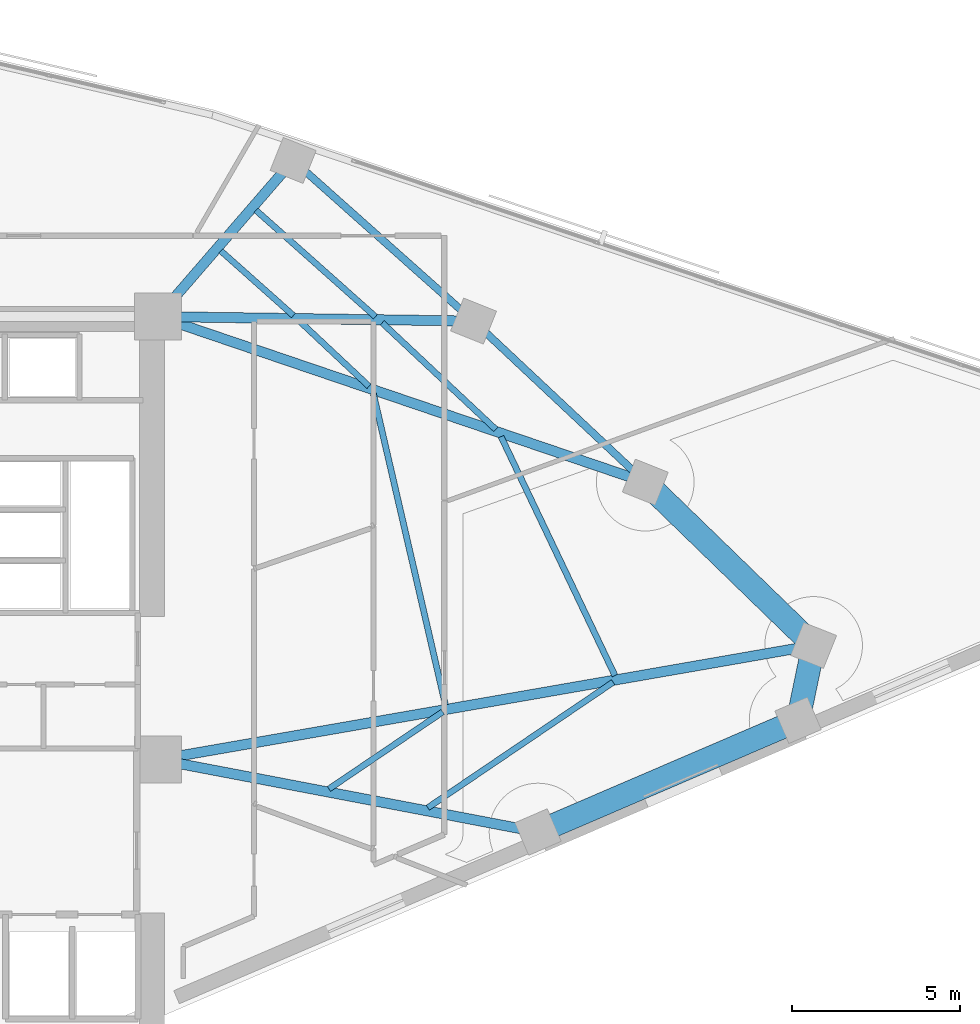
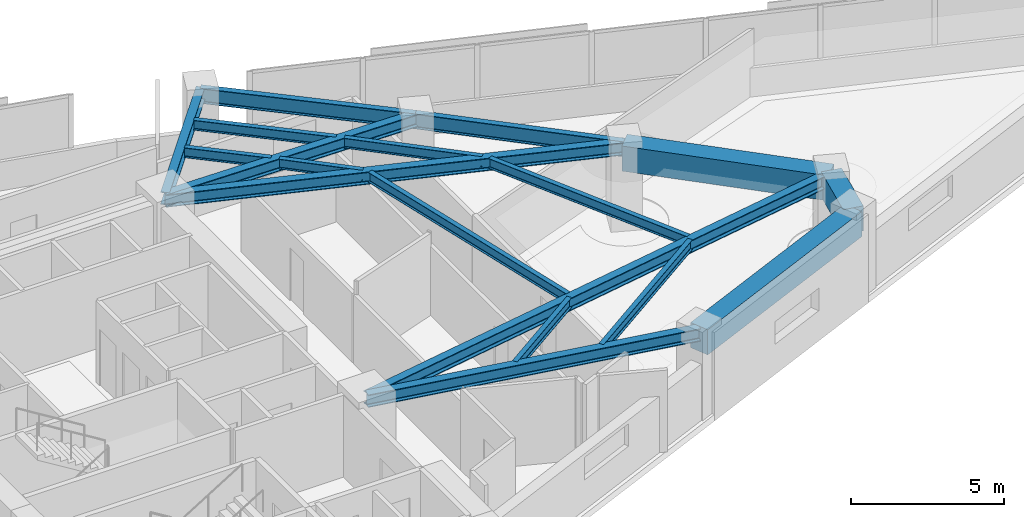
# One storey, part 3 of 14: 18 beams.
"""IFC4 building model written with IfcOpenShell, lengths in metres."""

from ifc_helpers import new_model, si_unit, direction, frame, origin, origin_2d, place, context, subcontext, project, spatial, rectangle, i_section, extrude, material, material_profile, profile_set, type_object, element, save


model = new_model("IFC4")

# Units and contexts
model_context = context("Model", 3, precision=1e-05, world=origin(), true_north=direction((0.0, 1.0)))
body_context = subcontext(model_context, "Body", "Model", "MODEL_VIEW")
ifc_project = project(units=[si_unit("LENGTHUNIT", "METRE"), si_unit("AREAUNIT", "SQUARE_METRE"), si_unit("VOLUMEUNIT", "CUBIC_METRE"), si_unit("PLANEANGLEUNIT", "RADIAN"), si_unit("MASSUNIT", "GRAM", prefix="KILO")], contexts=[model_context])

# Site, building, storey
site_placement = place(None, origin())
site = spatial("IfcSite", under=ifc_project, at=site_placement, CompositionType="ELEMENT")
building_placement = place(site_placement, origin())
building = spatial("IfcBuilding", under=site, at=building_placement, Name="Narakoshi Arena Tower", CompositionType="ELEMENT")
storey_placement = place(building_placement, frame((0.0, 0.0, 182.6201171875)))
storey = spatial("IfcBuildingStorey", under=building, at=storey_placement, Name="L49", CompositionType="ELEMENT", Elevation=182.6201171875)

# Beams
ifc_material_1 = material(Name="Concrete C60/75", Category="concrete")
ifc_material_profile_1 = material_profile(ifc_material_1, rectangle(XDim=0.699951171875, YDim=1.0, at=origin_2d()), Name="RCB700x1000")
ifc_profile_set_1 = profile_set([ifc_material_profile_1], Name="Concrete C60/75")
beam_type_1 = type_object("IfcBeamType", Name="BM-CPL-1000", PredefinedType="BEAM", material=ifc_profile_set_1)
beam_1_placement = place(storey_placement, frame((96.830078125, 41.2001953125, 2.759765625), z_axis=(0.918792947441, 0.394739812703, 0.0), x_axis=(-0.394739812703, 0.918792947441, 0.0)))
element("IfcBeam", 1, at=beam_1_placement, inside=storey, type_object=beam_type_1, Name="L49 Perimeter Edge Girder 01", PredefinedType="BEAM", context=body_context, shape_type="SweptSolid", body=[
    extrude(rectangle(XDim=0.699951171875, YDim=1.0, at=origin_2d()), origin(), (0.0, 0.0, 1.0), 8.401611328125),
])
beam_2_placement = place(storey_placement, frame((104.54931640625, 44.5166015625, 2.759765625), z_axis=(0.203000450605, 0.979178644096, 0.0), x_axis=(-0.979178644096, 0.203000450605, 0.0)))
element("IfcBeam", 2, at=beam_2_placement, inside=storey, type_object=beam_type_1, Name="L49 Perimeter Edge Girder 02", PredefinedType="BEAM", context=body_context, shape_type="SweptSolid", body=[
    extrude(rectangle(XDim=0.699951171875, YDim=1.0, at=origin_2d()), origin(), (0.0, 0.0, 1.0), 2.26953125),
])
beam_3_placement = place(storey_placement, frame((105.010009765625, 46.73876953125, 2.759765625), z_axis=(-0.717826032278, 0.696222512839, 0.0), x_axis=(-0.696222512839, -0.717826032278, 0.0)))
element("IfcBeam", 3, at=beam_3_placement, inside=storey, type_object=beam_type_1, Name="L49 Perimeter Edge Girder 03", PredefinedType="BEAM", context=body_context, shape_type="SweptSolid", body=[
    extrude(rectangle(XDim=0.699951171875, YDim=1.0, at=origin_2d()), origin(), (0.0, 0.0, 1.0), 6.96142578125),
])
ifc_material_2 = material(Name="Structural steel S355J2", Category="steel")
ifc_material_profile_2 = material_profile(ifc_material_2, i_section(OverallWidth=0.219970703125, OverallDepth=0.60009765625, WebThickness=0.011962890625, FlangeThickness=0.01904296875, FilletRadius=0.02392578125, at=origin_2d()), Name="IPE600")
ifc_profile_set_2 = profile_set([ifc_material_profile_2], Name="Structural steel S355J2")
beam_type_2 = type_object("IfcBeamType", Name="BM-EDGE-600", PredefinedType="BEAM", material=ifc_profile_set_2)
beam_4_placement = place(storey_placement, frame((100.012939453125, 51.58544921875, 2.9599609375), z_axis=(-0.729413011888, 0.684073576517, 0.0), x_axis=(-0.684073576517, -0.729413011888, 0.0)))
element("IfcBeam", 4, at=beam_4_placement, inside=storey, type_object=beam_type_2, Name="L49 Perimeter Edge Girder 04", PredefinedType="BEAM", context=body_context, shape_type="SweptSolid", body=[
    extrude(i_section(OverallWidth=0.219970703125, OverallDepth=0.60009765625, WebThickness=0.011962890625, FlangeThickness=0.01904296875, FilletRadius=0.02392578125, at=origin_2d()), origin(), (0.0, 0.0, 1.0), 6.9892578125),
])
beam_5_placement = place(storey_placement, frame((94.914794921875, 56.36669921875, 2.9599609375), z_axis=(-0.746743797071, 0.665111796269, 0.0), x_axis=(-0.665111796269, -0.746743797071, 0.0)))
element("IfcBeam", 5, at=beam_5_placement, inside=storey, type_object=beam_type_2, Name="L49 Perimeter Edge Girder 05", PredefinedType="BEAM", context=body_context, shape_type="SweptSolid", body=[
    extrude(i_section(OverallWidth=0.219970703125, OverallDepth=0.60009765625, WebThickness=0.011962890625, FlangeThickness=0.01904296875, FilletRadius=0.02392578125, at=origin_2d()), origin(), (0.0, 0.0, 1.0), 7.168701171875),
])
ifc_material_profile_3 = material_profile(ifc_material_2, i_section(OverallWidth=0.300048828125, OverallDepth=0.5, WebThickness=0.014404296875, FlangeThickness=0.028076171875, FilletRadius=0.027099609375, at=origin_2d()), Name="HE500B")
ifc_profile_set_3 = profile_set([ifc_material_profile_3], Name="Structural steel S355J2")
beam_type_3 = type_object("IfcBeamType", Name="BM-PRI-500", PredefinedType="BEAM", material=ifc_profile_set_3)
beam_6_placement = place(storey_placement, frame((85.550048828125, 43.35009765625, 3.009765625), z_axis=(0.982317345732, -0.187223482166, 0.0), x_axis=(0.187223482166, 0.982317345732, 0.0)))
element("IfcBeam", 6, at=beam_6_placement, inside=storey, type_object=beam_type_3, Name="L49 Radial Primary Floor Girder 01", PredefinedType="BEAM", context=body_context, shape_type="SweptSolid", body=[
    extrude(i_section(OverallWidth=0.300048828125, OverallDepth=0.5, WebThickness=0.014404296875, FlangeThickness=0.028076171875, FilletRadius=0.027099609375, at=origin_2d()), origin(), (0.0, 0.0, 1.0), 11.483154296875),
])
beam_7_placement = place(storey_placement, frame((85.550048828125, 43.35009765625, 3.009765625), z_axis=(0.985174720478, 0.171553986052, 0.0), x_axis=(-0.171553986052, 0.985174720478, 0.0)))
element("IfcBeam", 7, at=beam_7_placement, inside=storey, type_object=beam_type_3, Name="L49 Radial Primary Floor Girder 03", PredefinedType="BEAM", context=body_context, shape_type="SweptSolid", body=[
    extrude(i_section(OverallWidth=0.300048828125, OverallDepth=0.5, WebThickness=0.014404296875, FlangeThickness=0.028076171875, FilletRadius=0.027099609375, at=origin_2d()), origin(), (0.0, 0.0, 1.0), 19.752685546875),
])
beam_8_placement = place(storey_placement, frame((85.550048828125, 56.5, 3.009765625), z_axis=(0.94682923499, -0.321736537818, 0.0), x_axis=(0.321736537818, 0.94682923499, 0.0)))
element("IfcBeam", 8, at=beam_8_placement, inside=storey, type_object=beam_type_3, Name="L49 Radial Primary Floor Girder 04", PredefinedType="BEAM", context=body_context, shape_type="SweptSolid", body=[
    extrude(i_section(OverallWidth=0.300048828125, OverallDepth=0.5, WebThickness=0.014404296875, FlangeThickness=0.028076171875, FilletRadius=0.027099609375, at=origin_2d()), origin(), (0.0, 0.0, 1.0), 15.275146484375),
])
beam_9_placement = place(storey_placement, frame((85.550048828125, 56.5, 3.009765625), z_axis=(0.999898707477, -0.014232876956, 0.0), x_axis=(0.014232876956, 0.999898707477, 0.0)))
element("IfcBeam", 9, at=beam_9_placement, inside=storey, type_object=beam_type_3, Name="L49 Radial Primary Floor Girder 05", PredefinedType="BEAM", context=body_context, shape_type="SweptSolid", body=[
    extrude(i_section(OverallWidth=0.300048828125, OverallDepth=0.5, WebThickness=0.014404296875, FlangeThickness=0.028076171875, FilletRadius=0.027099609375, at=origin_2d()), origin(), (0.0, 0.0, 1.0), 9.36572265625),
])
beam_10_placement = place(storey_placement, frame((85.550048828125, 56.5, 3.009765625), z_axis=(0.654434553487, 0.756118651537, 0.0), x_axis=(-0.756118651537, 0.654434553487, 0.0)))
element("IfcBeam", 10, at=beam_10_placement, inside=storey, type_object=beam_type_3, Name="L49 Radial Primary Floor Girder 06", PredefinedType="BEAM", context=body_context, shape_type="SweptSolid", body=[
    extrude(i_section(OverallWidth=0.300048828125, OverallDepth=0.5, WebThickness=0.014404296875, FlangeThickness=0.028076171875, FilletRadius=0.027099609375, at=origin_2d()), origin(), (0.0, 0.0, 1.0), 6.129638671875),
])
ifc_material_profile_4 = material_profile(ifc_material_2, i_section(OverallWidth=0.179931640625, OverallDepth=0.39990234375, WebThickness=0.008544921875, FlangeThickness=0.013427734375, FilletRadius=0.02099609375, at=origin_2d()), Name="IPE400")
ifc_profile_set_4 = profile_set([ifc_material_profile_4], Name="Structural steel S355J2")
beam_type_4 = type_object("IfcBeamType", Name="BM-SEC-400", PredefinedType="JOIST", material=ifc_profile_set_4)
beam_11_placement = place(storey_placement, frame((90.625, 42.479736328125, 3.059814453125), z_axis=(0.828029909455, 0.560683929721, 0.0), x_axis=(-0.560683929721, 0.828029909455, 0.0)))
element("IfcBeam", 11, at=beam_11_placement, inside=storey, type_object=beam_type_4, Name="L49 Composite Secondary Floor Joist 01", PredefinedType="JOIST", context=body_context, shape_type="SweptSolid", body=[
    extrude(i_section(OverallWidth=0.179931640625, OverallDepth=0.39990234375, WebThickness=0.008544921875, FlangeThickness=0.013427734375, FilletRadius=0.02099609375, at=origin_2d()), origin(), (0.0, 0.0, 1.0), 4.076416015625),
])
beam_12_placement = place(storey_placement, frame((93.557861328125, 41.9208984375, 3.059814453125), z_axis=(0.828038093963, 0.560671842476, 0.0), x_axis=(-0.560671842476, 0.828038093963, 0.0)))
element("IfcBeam", 12, at=beam_12_placement, inside=storey, type_object=beam_type_4, Name="L49 Composite Secondary Floor Joist 02", PredefinedType="JOIST", context=body_context, shape_type="SweptSolid", body=[
    extrude(i_section(OverallWidth=0.179931640625, OverallDepth=0.39990234375, WebThickness=0.008544921875, FlangeThickness=0.013427734375, FilletRadius=0.02099609375, at=origin_2d()), origin(), (0.0, 0.0, 1.0), 6.644775390625),
])
beam_13_placement = place(storey_placement, frame((94.081787109375, 44.97265625, 3.059814453125), z_axis=(-0.225551777579, 0.97423118182, 0.0), x_axis=(-0.97423118182, -0.225551777579, 0.0)))
element("IfcBeam", 13, at=beam_13_placement, inside=storey, type_object=beam_type_4, Name="L49 Composite Secondary Floor Joist 03", PredefinedType="JOIST", context=body_context, shape_type="SweptSolid", body=[
    extrude(i_section(OverallWidth=0.179931640625, OverallDepth=0.39990234375, WebThickness=0.008544921875, FlangeThickness=0.013427734375, FilletRadius=0.02099609375, at=origin_2d()), origin(), (0.0, 0.0, 1.0), 9.4775390625),
])
beam_14_placement = place(storey_placement, frame((99.11376953125, 45.843994140625, 3.059814453125), z_axis=(-0.430296519407, 0.902687601214, 0.0), x_axis=(-0.902687601214, -0.430296519407, 0.0)))
element("IfcBeam", 14, at=beam_14_placement, inside=storey, type_object=beam_type_4, Name="L49 Composite Secondary Floor Joist 04", PredefinedType="JOIST", context=body_context, shape_type="SweptSolid", body=[
    extrude(i_section(OverallWidth=0.179931640625, OverallDepth=0.39990234375, WebThickness=0.008544921875, FlangeThickness=0.013427734375, FilletRadius=0.02099609375, at=origin_2d()), origin(), (0.0, 0.0, 1.0), 7.858642578125),
])
beam_15_placement = place(storey_placement, frame((91.815185546875, 54.429931640625, 3.059814453125), z_axis=(-0.729412358969, 0.68407427271, 0.0), x_axis=(-0.68407427271, -0.729412358969, 0.0)))
element("IfcBeam", 15, at=beam_15_placement, inside=storey, type_object=beam_type_4, Name="L49 Composite Secondary Floor Joist 05", PredefinedType="JOIST", context=body_context, shape_type="SweptSolid", body=[
    extrude(i_section(OverallWidth=0.179931640625, OverallDepth=0.39990234375, WebThickness=0.008544921875, FlangeThickness=0.013427734375, FilletRadius=0.02099609375, at=origin_2d()), origin(), (0.0, 0.0, 1.0), 2.805419921875),
])
beam_16_placement = place(storey_placement, frame((95.57568359375, 53.152099609375, 3.059814453125), z_axis=(-0.729426843307, 0.684058828072, 0.0), x_axis=(-0.684058828072, -0.729426843307, 0.0)))
element("IfcBeam", 16, at=beam_16_placement, inside=storey, type_object=beam_type_4, Name="L49 Composite Secondary Floor Joist 06", PredefinedType="JOIST", context=body_context, shape_type="SweptSolid", body=[
    extrude(i_section(OverallWidth=0.179931640625, OverallDepth=0.39990234375, WebThickness=0.008544921875, FlangeThickness=0.013427734375, FilletRadius=0.02099609375, at=origin_2d()), origin(), (0.0, 0.0, 1.0), 4.62255859375),
])
beam_17_placement = place(storey_placement, frame((89.569580078125, 56.531005859375, 3.059814453125), z_axis=(-0.746689655308, 0.665172578099, 0.0), x_axis=(-0.665172578099, -0.746689655308, 0.0)))
element("IfcBeam", 17, at=beam_17_placement, inside=storey, type_object=beam_type_4, Name="L49 Composite Secondary Floor Joist 07", PredefinedType="JOIST", context=body_context, shape_type="SweptSolid", body=[
    extrude(i_section(OverallWidth=0.179931640625, OverallDepth=0.39990234375, WebThickness=0.008544921875, FlangeThickness=0.013427734375, FilletRadius=0.02099609375, at=origin_2d()), origin(), (0.0, 0.0, 1.0), 2.884033203125),
])
beam_18_placement = place(storey_placement, frame((92.00439453125, 56.49658203125, 3.059814453125), z_axis=(-0.746730885914, 0.665126291784, 0.0), x_axis=(-0.665126291784, -0.746730885914, 0.0)))
element("IfcBeam", 18, at=beam_18_placement, inside=storey, type_object=beam_type_4, Name="L49 Composite Secondary Floor Joist 08", PredefinedType="JOIST", context=body_context, shape_type="SweptSolid", body=[
    extrude(i_section(OverallWidth=0.179931640625, OverallDepth=0.39990234375, WebThickness=0.008544921875, FlangeThickness=0.013427734375, FilletRadius=0.02099609375, at=origin_2d()), origin(), (0.0, 0.0, 1.0), 4.747802734375),
])

save(model, "model.ifc")
